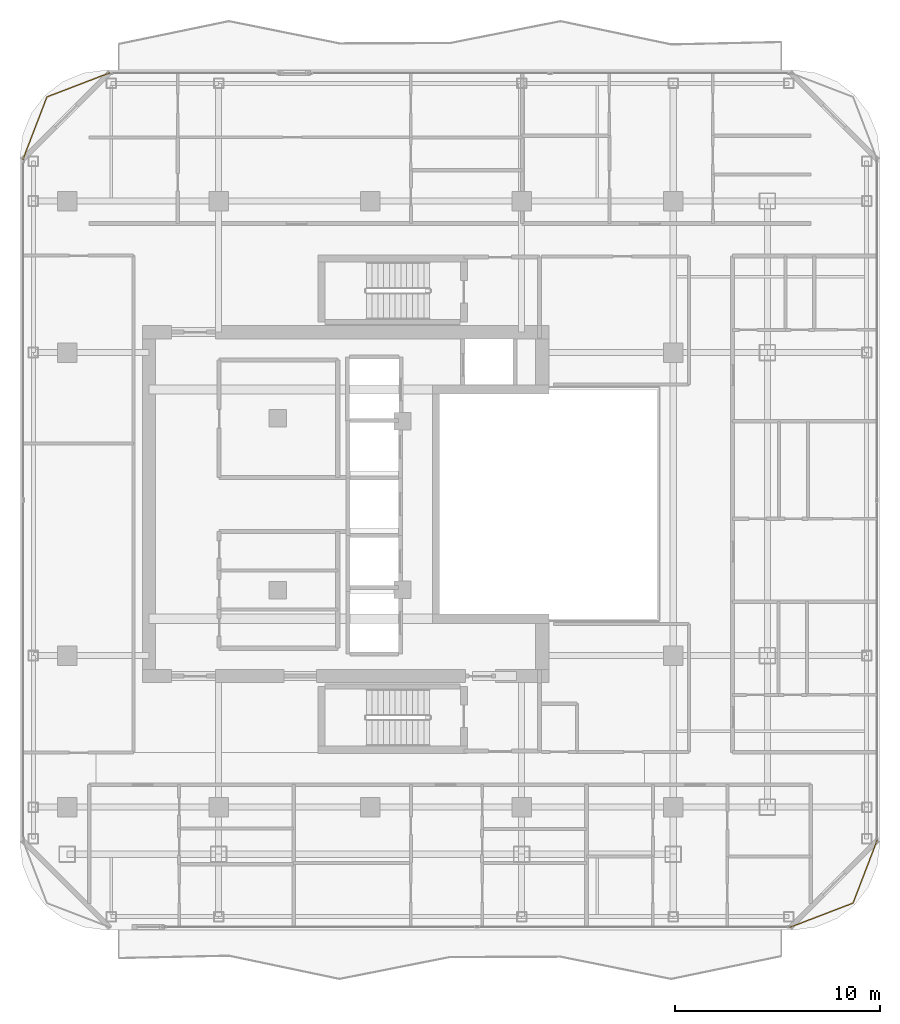
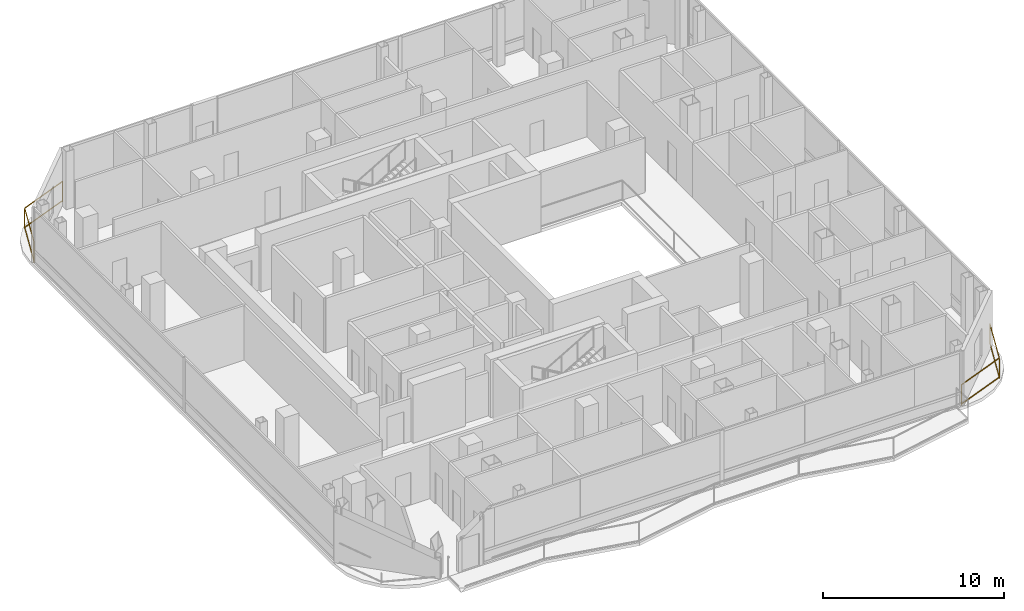
# One storey, part 23 of 24: 2 railings.
"""IFC4 building model written with IfcOpenShell, lengths in metres."""

from ifc_helpers import new_model, si_unit, direction, frame, origin, origin_2d, place, context, subcontext, project, spatial, rectangle, extrude, material, type_object, element, save


model = new_model("IFC4")

# Units and contexts
model_context = context("Model", 3, precision=1e-05, world=origin(), true_north=direction((0.0, 1.0)))
body_context = subcontext(model_context, "Body", "Model", "MODEL_VIEW")
ifc_project = project(units=[si_unit("LENGTHUNIT", "METRE"), si_unit("AREAUNIT", "SQUARE_METRE"), si_unit("VOLUMEUNIT", "CUBIC_METRE"), si_unit("PLANEANGLEUNIT", "RADIAN"), si_unit("MASSUNIT", "GRAM", prefix="KILO")], contexts=[model_context])

# Site, building, storey
site_placement = place(None, origin())
site = spatial("IfcSite", under=ifc_project, at=site_placement, CompositionType="ELEMENT")
building_placement = place(site_placement, origin())
building = spatial("IfcBuilding", under=site, at=building_placement, Name="Khorvyn Point Tower", CompositionType="ELEMENT")
storey_placement = place(building_placement, frame((0.0, 0.0, 266.39990234375)))
storey = spatial("IfcBuildingStorey", under=building, at=storey_placement, Name="L65", CompositionType="ELEMENT", Elevation=266.39990234375)

# Railings
ifc_material = material(Name="Anodised aluminium 6063-T6 and laminated safety glass", Category="aluminium")
railing_type = type_object("IfcRailingType", Name="Laminated Glass and Aluminium Balcony Guardrail 1400", PredefinedType="BALUSTRADE", material=ifc_material)
railing_1_placement = place(storey_placement, frame((-12.6865234375, 21.074462890625, 0.0)))
element("IfcRailing", 1, at=railing_1_placement, inside=storey, type_object=railing_type, Name="L65 Rounded Corner Edge Guardrail NW", PredefinedType="BALUSTRADE", context=body_context, shape_type="SweptSolid", body=[
    extrude(rectangle(XDim=0.048095703125, YDim=0.048095703125, at=origin_2d()), frame((0.0, 0.0, 1.3759765625), z_axis=(-0.93357103624, -0.358392411044, 0.0), x_axis=(0.358392411044, -0.93357103624, 0.0)), (0.0, 0.0, 1.0), 3.31884765625),
    extrude(rectangle(XDim=0.048095703125, YDim=0.048095703125, at=origin_2d()), frame((0.0, 0.0, 0.080078125), z_axis=(-0.93357103624, -0.358392411044, 0.0), x_axis=(0.358392411044, -0.93357103624, 0.0)), (0.0, 0.0, 1.0), 3.31884765625),
    extrude(rectangle(XDim=0.048095703125, YDim=0.048095703125, at=origin_2d()), frame((-3.098388671875, -1.189453125, 1.3759765625), z_axis=(-0.358392411044, -0.93357103624, 0.0), x_axis=(0.93357103624, -0.358392411044, 0.0)), (0.0, 0.0, 1.0), 3.31884765625),
    extrude(rectangle(XDim=0.048095703125, YDim=0.048095703125, at=origin_2d()), frame((-3.098388671875, -1.189453125, 0.080078125), z_axis=(-0.358392411044, -0.93357103624, 0.0), x_axis=(0.93357103624, -0.358392411044, 0.0)), (0.0, 0.0, 1.0), 3.31884765625),
    extrude(rectangle(XDim=0.0419921875, YDim=0.0419921875, at=origin_2d()), origin(), (0.0, 0.0, 1.0), 1.351806640625),
    extrude(rectangle(XDim=0.0419921875, YDim=0.0419921875, at=origin_2d()), frame((-3.098388671875, -1.189453125, 0.0)), (0.0, 0.0, 1.0), 1.351806640625),
    extrude(rectangle(XDim=0.0419921875, YDim=0.0419921875, at=origin_2d()), frame((-4.287841796875, -4.287841796875, 0.0)), (0.0, 0.0, 1.0), 1.351806640625),
])
railing_2_placement = place(storey_placement, frame((20.486572265625, -20.67431640625, 0.0)))
element("IfcRailing", 2, at=railing_2_placement, inside=storey, type_object=railing_type, Name="L65 Rounded Corner Edge Guardrail SE", PredefinedType="BALUSTRADE", context=body_context, shape_type="SweptSolid", body=[
    extrude(rectangle(XDim=0.048095703125, YDim=0.048095703125, at=origin_2d()), frame((0.0, 0.0, 1.3759765625), z_axis=(0.933595647299, 0.358328295484, 0.0), x_axis=(-0.358328295484, 0.933595647299, 0.0)), (0.0, 0.0, 1.0), 3.31884765625),
    extrude(rectangle(XDim=0.048095703125, YDim=0.048095703125, at=origin_2d()), frame((0.0, 0.0, 0.080078125), z_axis=(0.933595647299, 0.358328295484, 0.0), x_axis=(-0.358328295484, 0.933595647299, 0.0)), (0.0, 0.0, 1.0), 3.31884765625),
    extrude(rectangle(XDim=0.048095703125, YDim=0.048095703125, at=origin_2d()), frame((3.098388671875, 1.189208984375, 1.3759765625), z_axis=(0.358367799998, 0.933580483903, 0.0), x_axis=(-0.933580483903, 0.358367799998, 0.0)), (0.0, 0.0, 1.0), 3.319091796875),
    extrude(rectangle(XDim=0.048095703125, YDim=0.048095703125, at=origin_2d()), frame((3.098388671875, 1.189208984375, 0.080078125), z_axis=(0.358367799998, 0.933580483903, 0.0), x_axis=(-0.933580483903, 0.358367799998, 0.0)), (0.0, 0.0, 1.0), 3.319091796875),
    extrude(rectangle(XDim=0.0419921875, YDim=0.0419921875, at=origin_2d()), origin(), (0.0, 0.0, 1.0), 1.351806640625),
    extrude(rectangle(XDim=0.0419921875, YDim=0.0419921875, at=origin_2d()), frame((3.098388671875, 1.189208984375, 0.0)), (0.0, 0.0, 1.0), 1.351806640625),
    extrude(rectangle(XDim=0.0419921875, YDim=0.0419921875, at=origin_2d()), frame((4.287841796875, 4.287841796875, 0.0)), (0.0, 0.0, 1.0), 1.351806640625),
])

save(model, "model.ifc")
